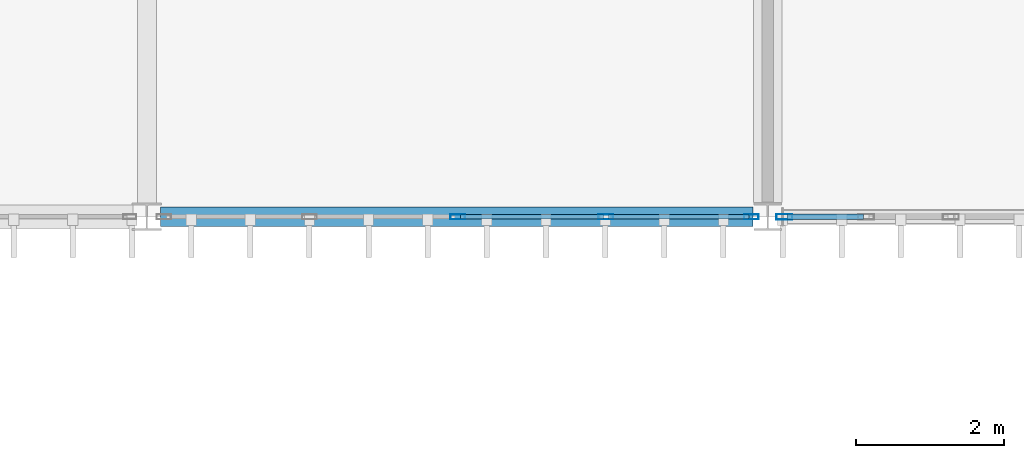
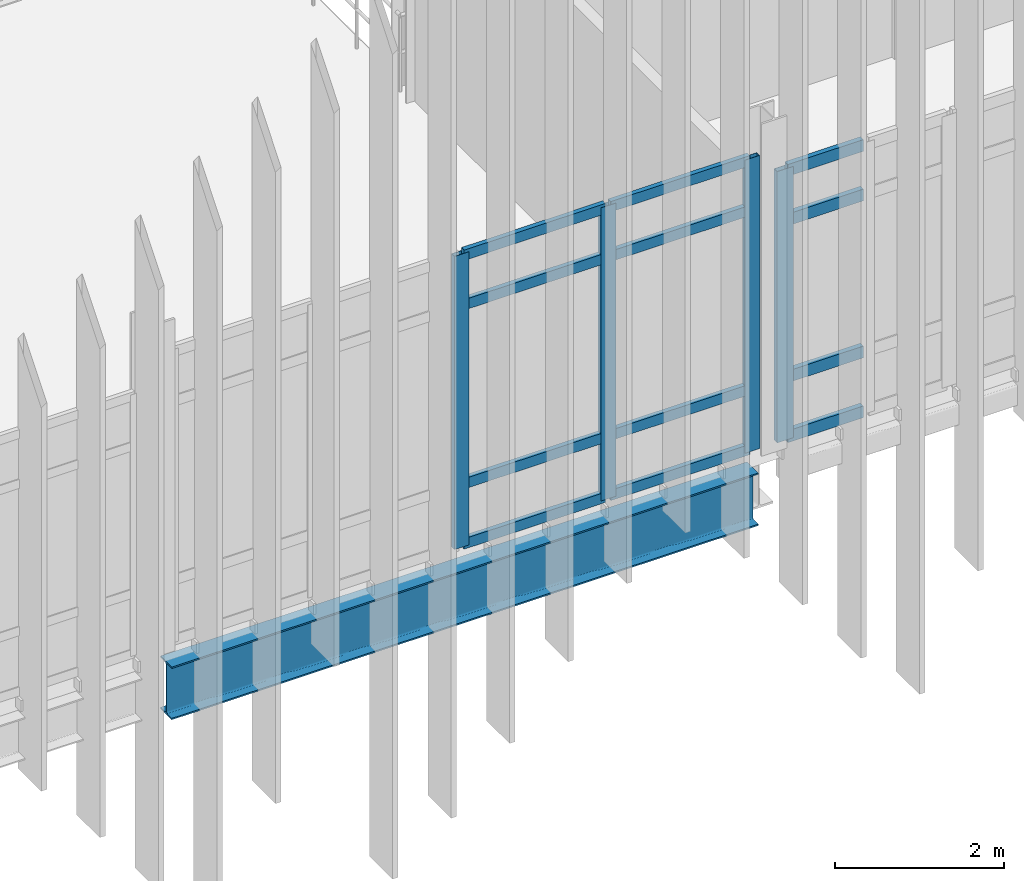
# One storey, part 19 of 153: 16 members, 1 beam, 2 elements without a shape of their own.
"""IFC4 building model written with IfcOpenShell, lengths in metres."""

from ifc_helpers import new_model, si_unit, direction, frame, origin, origin_2d, place, context, subcontext, project, spatial, hollow_rectangle, i_section, extrude, material, layer, layer_set, material_profile, profile_set, type_object, element, aggregate, save


model = new_model("IFC4")

# Units and contexts
model_context = context("Model", 3, precision=1e-05, world=origin(), true_north=direction((0.0, 1.0)))
body_context = subcontext(model_context, "Body", "Model", "MODEL_VIEW")
ifc_project = project(units=[si_unit("LENGTHUNIT", "METRE"), si_unit("AREAUNIT", "SQUARE_METRE"), si_unit("VOLUMEUNIT", "CUBIC_METRE"), si_unit("PLANEANGLEUNIT", "RADIAN"), si_unit("MASSUNIT", "GRAM", prefix="KILO")], contexts=[model_context])

# Site, building, storey
site_placement = place(None, origin())
site = spatial("IfcSite", under=ifc_project, at=site_placement, CompositionType="ELEMENT")
building_placement = place(site_placement, origin())
building = spatial("IfcBuilding", under=site, at=building_placement, Name="Calvrana Isthmian Art Gallery", CompositionType="ELEMENT")
storey_placement = place(building_placement, frame((0.0, 0.0, 10.199951171875)))
storey = spatial("IfcBuildingStorey", under=building, at=storey_placement, Name="L02", CompositionType="ELEMENT", Elevation=10.199951171875)

# Beam
ifc_material_1 = material(Name="Steel ASTM A992 Gr 50", Category="steel")
ifc_material_profile_1 = material_profile(ifc_material_1, i_section(OverallWidth=0.26708984375, OverallDepth=0.761962890625, WebThickness=0.014404296875, FlangeThickness=0.021484375, FilletRadius=0.02490234375, at=origin_2d()), Name="W30X116")
ifc_profile_set_1 = profile_set([ifc_material_profile_1], Name="Steel ASTM A992 Gr 50")
beam_type = type_object("IfcBeamType", Name="BM-G-W30X116", PredefinedType="BEAM", material=ifc_profile_set_1)
beam_placement = place(storey_placement, frame((38.58642578125, 21.60009765625, -0.64599609375), z_axis=(1.0, 0.0, 0.0), x_axis=(0.0, 1.0, 0.0)))
element("IfcBeam", 1, at=beam_placement, inside=storey, type_object=beam_type, Name="Girder X L02 06-07/D", PredefinedType="BEAM", context=body_context, shape_type="SweptSolid", body=[
    extrude(i_section(OverallWidth=0.26708984375, OverallDepth=0.761962890625, WebThickness=0.014404296875, FlangeThickness=0.021484375, FilletRadius=0.02490234375, at=origin_2d()), origin(), (0.0, 0.0, 1.0), 8.01416015625),
])

# Curtain wall, members
ifc_material_2 = material(Name="Anodized bronze aluminium 6063-T6", Category="aluminium")
ifc_layer_1 = layer(ifc_material_2, 0.179931640625, Name="Anodized bronze aluminium 6063-T6")
ifc_layer_set_1 = layer_set([ifc_layer_1], Name="Anodized bronze aluminium 6063-T6")
curtain_wall_type_1 = type_object("IfcCurtainWallType", Name="CW-UNIT-080X42", PredefinedType="USERDEFINED", material=ifc_layer_set_1)
curtain_wall_1_placement = place(storey_placement, origin())
curtain_wall_1 = element("IfcCurtainWall", 2, at=curtain_wall_1_placement, inside=storey, type_object=curtain_wall_type_1, Name="Curtain wall CW-147", ObjectType="UNITISED CURTAIN WALL", PredefinedType="USERDEFINED")
ifc_material_profile_2 = material_profile(ifc_material_2, hollow_rectangle(XDim=0.070068359375, YDim=0.199951171875, WallThickness=0.0048828125, at=origin_2d()), Name="CWM70X200")
ifc_profile_set_2 = profile_set([ifc_material_profile_2], Name="Anodized bronze aluminium 6063-T6")
member_type_1 = type_object("IfcMemberType", Name="CWM-CWM70X200", PredefinedType="MULLION", material=ifc_profile_set_2)
member_1_placement = place(storey_placement, frame((46.57861328125, 21.60009765625, 0.0), z_axis=(0.0, 0.0, 1.0), x_axis=(0.0, -1.0, 0.0)))
member_1 = element("IfcMember", 3, at=member_1_placement, type_object=member_type_1, Name="CW-147 mullion 1", PredefinedType="MULLION", context=body_context, shape_type="SweptSolid", body=[
    extrude(hollow_rectangle(XDim=0.070068359375, YDim=0.199951171875, WallThickness=0.0048828125, at=origin_2d()), origin(), (0.0, 0.0, 1.0), 4.2353515625),
])
member_2_placement = place(storey_placement, frame((44.609375, 21.60009765625, 0.0), z_axis=(0.0, 0.0, 1.0), x_axis=(0.0, -1.0, 0.0)))
member_2 = element("IfcMember", 4, at=member_2_placement, type_object=member_type_1, Name="CW-147 mullion 2", PredefinedType="MULLION", context=body_context, shape_type="SweptSolid", body=[
    extrude(hollow_rectangle(XDim=0.070068359375, YDim=0.199951171875, WallThickness=0.0048828125, at=origin_2d()), origin(), (0.0, 0.0, 1.0), 4.2353515625),
])
member_3_placement = place(storey_placement, frame((42.605224609375, 21.60009765625, 0.0), z_axis=(0.0, 0.0, 1.0), x_axis=(0.0, -1.0, 0.0)))
member_3 = element("IfcMember", 5, at=member_3_placement, type_object=member_type_1, Name="CW-147 mullion 3", PredefinedType="MULLION", context=body_context, shape_type="SweptSolid", body=[
    extrude(hollow_rectangle(XDim=0.070068359375, YDim=0.199951171875, WallThickness=0.0048828125, at=origin_2d()), origin(), (0.0, 0.0, 1.0), 4.2353515625),
])

# Curtain wall, member
ifc_layer_2 = layer(ifc_material_2, 0.179931640625, Name="Anodized bronze aluminium 6063-T6")
ifc_layer_set_2 = layer_set([ifc_layer_2], Name="Anodized bronze aluminium 6063-T6")
curtain_wall_type_2 = type_object("IfcCurtainWallType", Name="CW-STICK-080X39", PredefinedType="NOTDEFINED", material=ifc_layer_set_2)
curtain_wall_2_placement = place(storey_placement, origin())
curtain_wall_2 = element("IfcCurtainWall", 6, at=curtain_wall_2_placement, inside=storey, type_object=curtain_wall_type_2, Name="Curtain wall CW-148", PredefinedType="NOTDEFINED")
ifc_material_profile_3 = material_profile(ifc_material_2, hollow_rectangle(XDim=0.074951171875, YDim=0.219970703125, WallThickness=0.0048828125, at=origin_2d()), Name="CWM75X220")
ifc_profile_set_3 = profile_set([ifc_material_profile_3], Name="Anodized bronze aluminium 6063-T6")
member_type_2 = type_object("IfcMemberType", Name="CWM-CWM75X220", PredefinedType="MULLION", material=ifc_profile_set_3)
member_4_placement = place(storey_placement, frame((47.02392578125, 21.60009765625, 0.0), z_axis=(0.0, 0.0, 1.0), x_axis=(0.0, -1.0, 0.0)))
member_4 = element("IfcMember", 7, at=member_4_placement, type_object=member_type_2, Name="CW-148 mullion 8", PredefinedType="MULLION", context=body_context, shape_type="SweptSolid", body=[
    extrude(hollow_rectangle(XDim=0.074951171875, YDim=0.219970703125, WallThickness=0.0048828125, at=origin_2d()), origin(), (0.0, 0.0, 1.0), 3.91796875),
])

# Member
ifc_material_profile_4 = material_profile(ifc_material_2, hollow_rectangle(XDim=0.06494140625, YDim=0.14990234375, WallThickness=0.00390625, at=origin_2d()), Name="CWT65X150")
ifc_profile_set_4 = profile_set([ifc_material_profile_4], Name="Anodized bronze aluminium 6063-T6")
member_type_3 = type_object("IfcMemberType", Name="CWT-CWT65X150", PredefinedType="USERDEFINED", material=ifc_profile_set_4)
member_5_placement = place(storey_placement, frame((46.54345703125, 21.60009765625, 0.032470703125), z_axis=(-1.0, 0.0, 0.0), x_axis=(0.0, -1.0, 0.0)))
member_5 = element("IfcMember", 8, at=member_5_placement, type_object=member_type_3, Name="CW-147 transom 1.1", ObjectType="TRANSOM", PredefinedType="USERDEFINED", context=body_context, shape_type="SweptSolid", body=[
    extrude(hollow_rectangle(XDim=0.06494140625, YDim=0.14990234375, WallThickness=0.00390625, at=origin_2d()), origin(), (0.0, 0.0, 1.0), 1.899169921875),
])

member_6_placement = place(storey_placement, frame((46.54345703125, 21.60009765625, 0.900146484375), z_axis=(-1.0, 0.0, 0.0), x_axis=(0.0, -1.0, 0.0)))
member_6 = element("IfcMember", 9, at=member_6_placement, type_object=member_type_3, Name="CW-147 transom 1.2", ObjectType="TRANSOM", PredefinedType="USERDEFINED", context=body_context, shape_type="SweptSolid", body=[
    extrude(hollow_rectangle(XDim=0.06494140625, YDim=0.14990234375, WallThickness=0.00390625, at=origin_2d()), origin(), (0.0, 0.0, 1.0), 1.899169921875),
])

member_7_placement = place(storey_placement, frame((46.54345703125, 21.60009765625, 3.4853515625), z_axis=(-1.0, 0.0, 0.0), x_axis=(0.0, -1.0, 0.0)))
member_7 = element("IfcMember", 10, at=member_7_placement, type_object=member_type_3, Name="CW-147 transom 1.3", ObjectType="TRANSOM", PredefinedType="USERDEFINED", context=body_context, shape_type="SweptSolid", body=[
    extrude(hollow_rectangle(XDim=0.06494140625, YDim=0.14990234375, WallThickness=0.00390625, at=origin_2d()), origin(), (0.0, 0.0, 1.0), 1.899169921875),
])

member_8_placement = place(storey_placement, frame((46.54345703125, 21.60009765625, 4.20263671875), z_axis=(-1.0, 0.0, 0.0), x_axis=(0.0, -1.0, 0.0)))
member_8 = element("IfcMember", 11, at=member_8_placement, type_object=member_type_3, Name="CW-147 transom 1.4", ObjectType="TRANSOM", PredefinedType="USERDEFINED", context=body_context, shape_type="SweptSolid", body=[
    extrude(hollow_rectangle(XDim=0.06494140625, YDim=0.14990234375, WallThickness=0.00390625, at=origin_2d()), origin(), (0.0, 0.0, 1.0), 1.899169921875),
])

member_9_placement = place(storey_placement, frame((44.574462890625, 21.60009765625, 0.032470703125), z_axis=(-1.0, 0.0, 0.0), x_axis=(0.0, -1.0, 0.0)))
member_9 = element("IfcMember", 12, at=member_9_placement, type_object=member_type_3, Name="CW-147 transom 2.1", ObjectType="TRANSOM", PredefinedType="USERDEFINED", context=body_context, shape_type="SweptSolid", body=[
    extrude(hollow_rectangle(XDim=0.06494140625, YDim=0.14990234375, WallThickness=0.00390625, at=origin_2d()), origin(), (0.0, 0.0, 1.0), 1.934326171875),
])

member_10_placement = place(storey_placement, frame((44.574462890625, 21.60009765625, 0.900146484375), z_axis=(-1.0, 0.0, 0.0), x_axis=(0.0, -1.0, 0.0)))
member_10 = element("IfcMember", 13, at=member_10_placement, type_object=member_type_3, Name="CW-147 transom 2.2", ObjectType="TRANSOM", PredefinedType="USERDEFINED", context=body_context, shape_type="SweptSolid", body=[
    extrude(hollow_rectangle(XDim=0.06494140625, YDim=0.14990234375, WallThickness=0.00390625, at=origin_2d()), origin(), (0.0, 0.0, 1.0), 1.934326171875),
])

member_11_placement = place(storey_placement, frame((44.574462890625, 21.60009765625, 3.4853515625), z_axis=(-1.0, 0.0, 0.0), x_axis=(0.0, -1.0, 0.0)))
member_11 = element("IfcMember", 14, at=member_11_placement, type_object=member_type_3, Name="CW-147 transom 2.3", ObjectType="TRANSOM", PredefinedType="USERDEFINED", context=body_context, shape_type="SweptSolid", body=[
    extrude(hollow_rectangle(XDim=0.06494140625, YDim=0.14990234375, WallThickness=0.00390625, at=origin_2d()), origin(), (0.0, 0.0, 1.0), 1.934326171875),
])

member_12_placement = place(storey_placement, frame((44.574462890625, 21.60009765625, 4.20263671875), z_axis=(-1.0, 0.0, 0.0), x_axis=(0.0, -1.0, 0.0)))
member_12 = element("IfcMember", 15, at=member_12_placement, type_object=member_type_3, Name="CW-147 transom 2.4", ObjectType="TRANSOM", PredefinedType="USERDEFINED", context=body_context, shape_type="SweptSolid", body=[
    extrude(hollow_rectangle(XDim=0.06494140625, YDim=0.14990234375, WallThickness=0.00390625, at=origin_2d()), origin(), (0.0, 0.0, 1.0), 1.934326171875),
])

aggregate(curtain_wall_1, [member_1, member_2, member_3, member_5, member_6, member_7, member_8, member_9, member_10, member_11, member_12])

ifc_material_profile_5 = material_profile(ifc_material_2, hollow_rectangle(XDim=0.070068359375, YDim=0.169921875, WallThickness=0.00439453125, at=origin_2d()), Name="CWT70X170")
ifc_profile_set_5 = profile_set([ifc_material_profile_5], Name="Anodized bronze aluminium 6063-T6")
member_type_4 = type_object("IfcMemberType", Name="CWT-CWT70X170", PredefinedType="USERDEFINED", material=ifc_profile_set_5)
member_13_placement = place(storey_placement, frame((48.09375, 21.60009765625, 0.03515625), z_axis=(-1.0, 0.0, 0.0), x_axis=(0.0, -1.0, 0.0)))
member_13 = element("IfcMember", 16, at=member_13_placement, type_object=member_type_4, Name="CW-148 transom 7.1", ObjectType="TRANSOM", PredefinedType="USERDEFINED", context=body_context, shape_type="SweptSolid", body=[
    extrude(hollow_rectangle(XDim=0.070068359375, YDim=0.169921875, WallThickness=0.00439453125, at=origin_2d()), origin(), (0.0, 0.0, 1.0), 1.0322265625),
])

member_14_placement = place(storey_placement, frame((48.09375, 21.60009765625, 0.900146484375), z_axis=(-1.0, 0.0, 0.0), x_axis=(0.0, -1.0, 0.0)))
member_14 = element("IfcMember", 17, at=member_14_placement, type_object=member_type_4, Name="CW-148 transom 7.2", ObjectType="TRANSOM", PredefinedType="USERDEFINED", context=body_context, shape_type="SweptSolid", body=[
    extrude(hollow_rectangle(XDim=0.070068359375, YDim=0.169921875, WallThickness=0.00439453125, at=origin_2d()), origin(), (0.0, 0.0, 1.0), 1.0322265625),
])

member_15_placement = place(storey_placement, frame((48.09375, 21.60009765625, 3.16796875), z_axis=(-1.0, 0.0, 0.0), x_axis=(0.0, -1.0, 0.0)))
member_15 = element("IfcMember", 18, at=member_15_placement, type_object=member_type_4, Name="CW-148 transom 7.3", ObjectType="TRANSOM", PredefinedType="USERDEFINED", context=body_context, shape_type="SweptSolid", body=[
    extrude(hollow_rectangle(XDim=0.070068359375, YDim=0.169921875, WallThickness=0.00439453125, at=origin_2d()), origin(), (0.0, 0.0, 1.0), 1.0322265625),
])

member_16_placement = place(storey_placement, frame((48.09375, 21.60009765625, 3.883056640625), z_axis=(-1.0, 0.0, 0.0), x_axis=(0.0, -1.0, 0.0)))
member_16 = element("IfcMember", 19, at=member_16_placement, type_object=member_type_4, Name="CW-148 transom 7.4", ObjectType="TRANSOM", PredefinedType="USERDEFINED", context=body_context, shape_type="SweptSolid", body=[
    extrude(hollow_rectangle(XDim=0.070068359375, YDim=0.169921875, WallThickness=0.00439453125, at=origin_2d()), origin(), (0.0, 0.0, 1.0), 1.0322265625),
])

aggregate(curtain_wall_2, [member_4, member_13, member_14, member_15, member_16])

save(model, "model.ifc")
